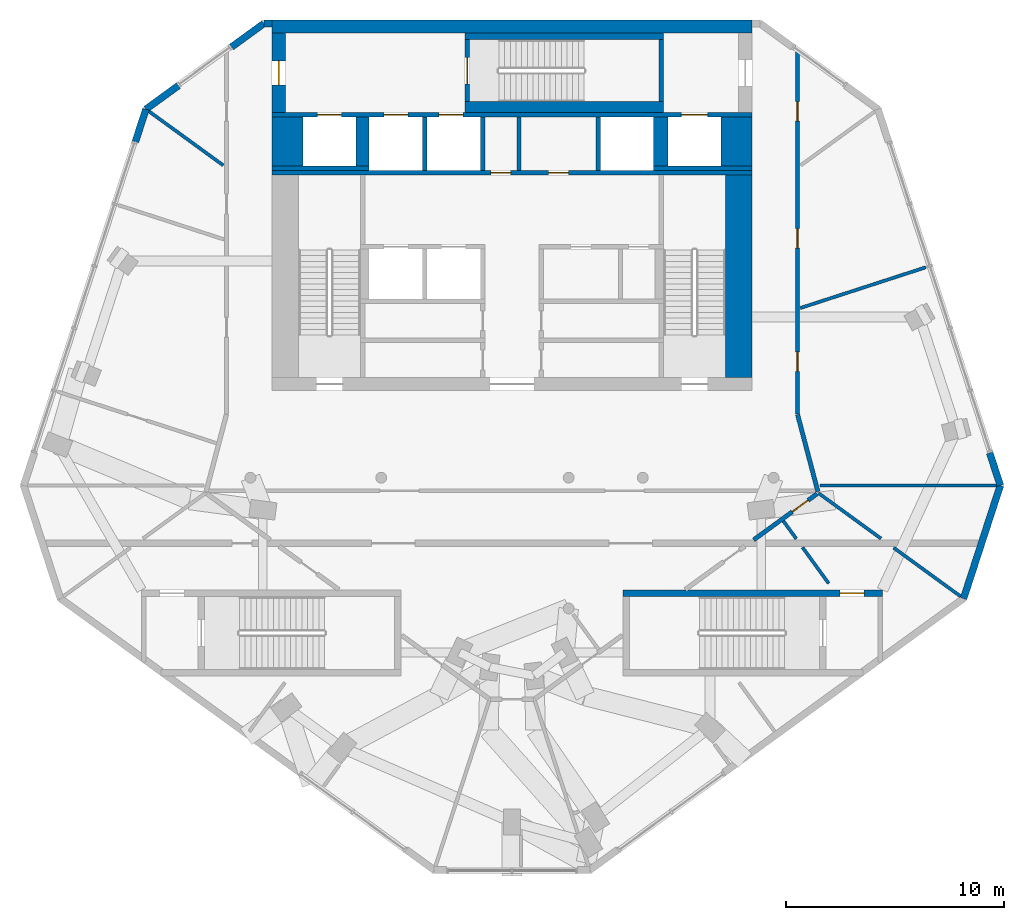
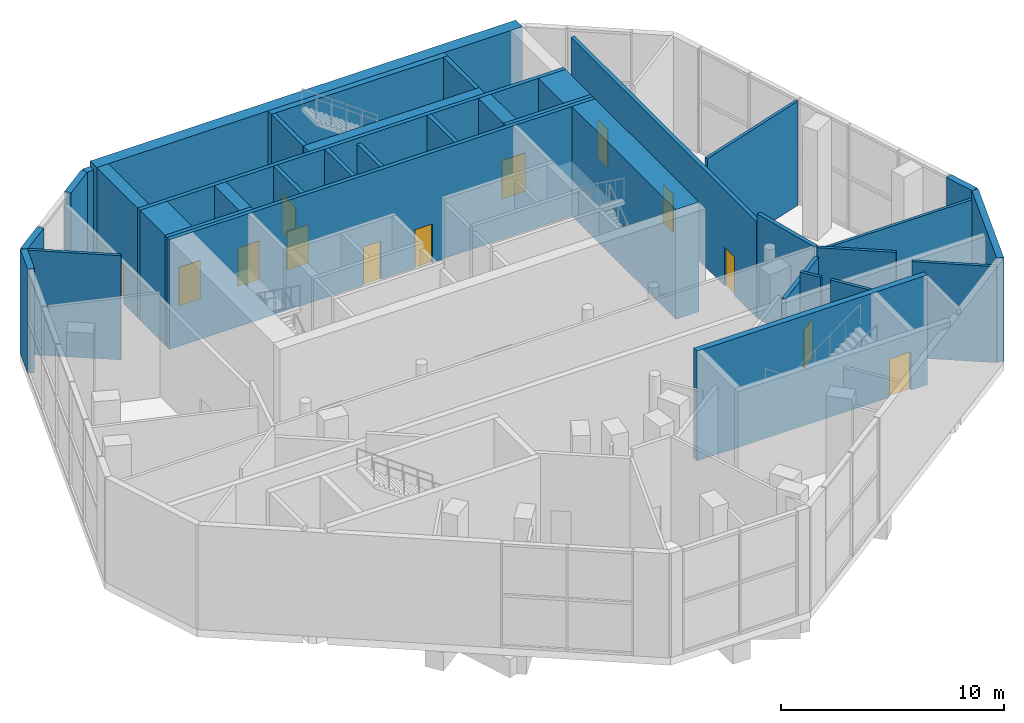
# One storey, part 8 of 11: 36 walls, 13 doors, 13 openings.
"""IFC4 building model written with IfcOpenShell, lengths in metres."""

from ifc_helpers import new_model, si_unit, direction, frame, frame_2d, origin, place, context, subcontext, project, spatial, rectangle, extrude, material, layer, layer_set, type_object, element, fill, save


model = new_model("IFC4")

# Units and contexts
model_context = context("Model", 3, precision=1e-05, world=origin(), true_north=direction((0.0, 1.0)))
body_context = subcontext(model_context, "Body", "Model", "MODEL_VIEW")
ifc_project = project(units=[si_unit("LENGTHUNIT", "METRE"), si_unit("AREAUNIT", "SQUARE_METRE"), si_unit("VOLUMEUNIT", "CUBIC_METRE"), si_unit("PLANEANGLEUNIT", "RADIAN"), si_unit("MASSUNIT", "GRAM", prefix="KILO")], contexts=[model_context])

# Site, building, storey
site_placement = place(None, origin())
site = spatial("IfcSite", under=ifc_project, at=site_placement, CompositionType="ELEMENT")
building_placement = place(site_placement, origin())
building = spatial("IfcBuilding", under=site, at=building_placement, Name="White Candle Pilgrim Tower", CompositionType="ELEMENT")
storey_placement = place(building_placement, frame((0.0, 0.0, 300.10009765625)))
storey = spatial("IfcBuildingStorey", under=building, at=storey_placement, Name="L71", CompositionType="ELEMENT", Elevation=300.10009765625)

# Walls
ifc_material_1 = material(Name="Concrete C40/50", Category="concrete")
ifc_layer_1 = layer(ifc_material_1, 1.39990234375)
ifc_layer_set_1 = layer_set([ifc_layer_1], Name="Core wall 1400 mm Concrete C40/50")
wall_type_1 = type_object("IfcWallType", Name="Core wall 1400 mm Concrete C40/50", PredefinedType="SHEAR", material=ifc_layer_set_1)
for number, where, z_axis, x_axis, name in (
    (1, (59.699951171875, 81.300048828125, 0.0), (0.0, 0.0, 1.0), (0.0, 1.0, 0.0), "WL-L71-C43"),
    (2, (80.300048828125, 81.300048828125, 0.0), (0.0, 0.0, 1.0), (0.0, 1.0, 0.0), "WL-L71-C46"),
):
    element("IfcWall", number, at=place(storey_placement, frame(where, z_axis=z_axis, x_axis=x_axis)), inside=storey, type_object=wall_type_1, Name=name, PredefinedType="SHEAR", context=body_context, shape_type="SweptSolid", body=[
        extrude(rectangle(XDim=2.25, YDim=1.39990234375, at=frame_2d((1.125, 0.0))), origin(), (0.0, 0.0, 1.0), 6.0),
    ])
ifc_layer_2 = layer(ifc_material_1, 0.199951171875)
ifc_layer_set_2 = layer_set([ifc_layer_2], Name="Core wall 200 mm Concrete C40/50")
wall_type_2 = type_object("IfcWallType", Name="Core wall 200 mm Concrete C40/50", PredefinedType="SHEAR", material=ifc_layer_set_2)
wall_1_placement = place(storey_placement, frame((59.0, 81.199951171875, 0.0), z_axis=(0.0, 0.0, 1.0), x_axis=(1.0, 0.0, 0.0)))
element("IfcWall", 3, at=wall_1_placement, inside=storey, type_object=wall_type_2, Name="WL-L71-C37", PredefinedType="SHEAR", context=body_context, shape_type="SweptSolid", body=[
    extrude(rectangle(XDim=4.449951171875, YDim=0.199951171875, at=frame_2d((2.22509765625, 0.0))), origin(), (0.0, 0.0, 1.0), 6.0),
])
wall_2_placement = place(storey_placement, frame((76.5, 81.199951171875, 0.0), z_axis=(0.0, 0.0, 1.0), x_axis=(1.0, 0.0, 0.0)))
element("IfcWall", 4, at=wall_2_placement, inside=storey, type_object=wall_type_2, Name="WL-L71-C42", PredefinedType="SHEAR", context=body_context, shape_type="SweptSolid", body=[
    extrude(rectangle(XDim=4.5, YDim=0.199951171875, at=frame_2d((2.25, 0.0))), origin(), (0.0, 0.0, 1.0), 6.0),
])

# Wall, openings, doors
wall_3_placement = place(storey_placement, frame((59.0, 83.64990234375, 0.0), z_axis=(0.0, 0.0, 1.0), x_axis=(1.0, 0.0, 0.0)))
wall_3 = element("IfcWall", 5, at=wall_3_placement, inside=storey, type_object=wall_type_2, Name="WL-L71-C47", PredefinedType="SHEAR", context=body_context, shape_type="SweptSolid", body=[
    extrude(rectangle(XDim=22.0, YDim=0.199951171875, at=frame_2d((11.0, 0.0))), origin(), (0.0, 0.0, 1.0), 6.0),
])
opening_1_placement = place(wall_3_placement, frame((5.125, 0.0, 0.0)))
opening_1 = element("IfcOpeningElement", 6, at=opening_1_placement, cuts=wall_3, Name="Opening L71-017", PredefinedType="OPENING", context=body_context, shape_type="SweptSolid", body=[
    extrude(rectangle(XDim=1.10009765625, YDim=2.10009765625, at=frame_2d((0.550048828125, 1.050048828125))), frame((0.0, 0.10986328125, 0.0), z_axis=(0.0, -1.0, 0.0), x_axis=(1.0, 0.0, 0.0)), (0.0, 0.0, 1.0), 0.219970703125),
])
opening_2_placement = place(wall_3_placement, frame((7.64990234375, 0.0, 0.0)))
opening_2 = element("IfcOpeningElement", 7, at=opening_2_placement, cuts=wall_3, Name="Opening L71-018", PredefinedType="OPENING", context=body_context, shape_type="SweptSolid", body=[
    extrude(rectangle(XDim=1.10009765625, YDim=2.10009765625, at=frame_2d((0.550048828125, 1.050048828125))), frame((0.0, 0.10986328125, 0.0), z_axis=(0.0, -1.0, 0.0), x_axis=(1.0, 0.0, 0.0)), (0.0, 0.0, 1.0), 0.219970703125),
])
opening_3_placement = place(wall_3_placement, frame((18.77490234375, 0.0, 0.0)))
opening_3 = element("IfcOpeningElement", 8, at=opening_3_placement, cuts=wall_3, Name="Opening L71-019", PredefinedType="OPENING", context=body_context, shape_type="SweptSolid", body=[
    extrude(rectangle(XDim=1.199951171875, YDim=2.10009765625, at=frame_2d((0.60009765625, 1.050048828125))), frame((0.0, 0.10986328125, 0.0), z_axis=(0.0, -1.0, 0.0), x_axis=(1.0, 0.0, 0.0)), (0.0, 0.0, 1.0), 0.219970703125),
])
opening_4_placement = place(wall_3_placement, frame((2.074951171875, 0.0, 0.0)))
opening_4 = element("IfcOpeningElement", 9, at=opening_4_placement, cuts=wall_3, Name="Opening L71-020", PredefinedType="OPENING", context=body_context, shape_type="SweptSolid", body=[
    extrude(rectangle(XDim=1.10009765625, YDim=2.10009765625, at=frame_2d((0.550048828125, 1.050048828125))), frame((0.0, 0.10986328125, 0.0), z_axis=(0.0, -1.0, 0.0), x_axis=(1.0, 0.0, 0.0)), (0.0, 0.0, 1.0), 0.219970703125),
])
ifc_material_2 = material(Name="Stainless steel", Category="steel")
door_type_1 = type_object("IfcDoorType", Name="Lift landing door 1100 x 2100 EI 60", OperationType="DOUBLE_DOOR_SLIDING", PredefinedType="DOOR", material=ifc_material_2)
door_1_placement = place(opening_1_placement, origin())
door_1 = element("IfcDoor", 10, at=door_1_placement, inside=storey, type_object=door_type_1, Name="Door L71-017", OperationType="DOUBLE_DOOR_SLIDING", OverallHeight=2.10009765625, OverallWidth=1.10009765625, PredefinedType="DOOR", context=body_context, shape_type="SweptSolid", body=[
    extrude(rectangle(XDim=1.10009765625, YDim=2.10009765625, at=frame_2d((0.550048828125, 1.050048828125))), frame((0.0, 0.02490234375, 0.0), z_axis=(0.0, -1.0, 0.0), x_axis=(1.0, 0.0, 0.0)), (0.0, 0.0, 1.0), 0.050048828125),
])
fill(opening_1, door_1)
door_2_placement = place(opening_2_placement, origin())
door_2 = element("IfcDoor", 11, at=door_2_placement, inside=storey, type_object=door_type_1, Name="Door L71-018", OperationType="DOUBLE_DOOR_SLIDING", OverallHeight=2.10009765625, OverallWidth=1.10009765625, PredefinedType="DOOR", context=body_context, shape_type="SweptSolid", body=[
    extrude(rectangle(XDim=1.10009765625, YDim=2.10009765625, at=frame_2d((0.550048828125, 1.050048828125))), frame((0.0, 0.02490234375, 0.0), z_axis=(0.0, -1.0, 0.0), x_axis=(1.0, 0.0, 0.0)), (0.0, 0.0, 1.0), 0.050048828125),
])
fill(opening_2, door_2)
door_3_placement = place(opening_4_placement, origin())
door_3 = element("IfcDoor", 12, at=door_3_placement, inside=storey, type_object=door_type_1, Name="Door L71-020", OperationType="DOUBLE_DOOR_SLIDING", OverallHeight=2.10009765625, OverallWidth=1.10009765625, PredefinedType="DOOR", context=body_context, shape_type="SweptSolid", body=[
    extrude(rectangle(XDim=1.10009765625, YDim=2.10009765625, at=frame_2d((0.550048828125, 1.050048828125))), frame((0.0, 0.02490234375, 0.0), z_axis=(0.0, -1.0, 0.0), x_axis=(1.0, 0.0, 0.0)), (0.0, 0.0, 1.0), 0.050048828125),
])
fill(opening_4, door_3)
door_type_2 = type_object("IfcDoorType", Name="Lift landing door 1200 x 2100 E 60", OperationType="DOUBLE_DOOR_SLIDING", PredefinedType="DOOR", material=ifc_material_2)
door_4_placement = place(opening_3_placement, origin())
door_4 = element("IfcDoor", 13, at=door_4_placement, inside=storey, type_object=door_type_2, Name="Door L71-019", OperationType="DOUBLE_DOOR_SLIDING", OverallHeight=2.10009765625, OverallWidth=1.199951171875, PredefinedType="DOOR", context=body_context, shape_type="SweptSolid", body=[
    extrude(rectangle(XDim=1.199951171875, YDim=2.10009765625, at=frame_2d((0.60009765625, 1.050048828125))), frame((0.0, 0.02490234375, 0.0), z_axis=(0.0, -1.0, 0.0), x_axis=(1.0, 0.0, 0.0)), (0.0, 0.0, 1.0), 0.050048828125),
])
fill(opening_3, door_4)

# Wall, opening, door
ifc_layer_3 = layer(ifc_material_1, 0.60009765625)
ifc_layer_set_3 = layer_set([ifc_layer_3], Name="Core wall 600 mm Concrete C40/50")
wall_type_3 = type_object("IfcWallType", Name="Core wall 600 mm Concrete C40/50", PredefinedType="SHEAR", material=ifc_layer_set_3)
wall_4_placement = place(storey_placement, frame((59.300048828125, 83.75, 0.0), z_axis=(0.0, 0.0, 1.0), x_axis=(0.0, 1.0, 0.0)))
wall_4 = element("IfcWall", 14, at=wall_4_placement, inside=storey, type_object=wall_type_3, Name="WL-L71-C48", PredefinedType="SHEAR", context=body_context, shape_type="SweptSolid", body=[
    extrude(rectangle(XDim=3.64990234375, YDim=0.60009765625, at=frame_2d((1.824951171875, 0.0))), origin(), (0.0, 0.0, 1.0), 6.0),
])
opening_5_placement = place(wall_4_placement, frame((1.27490234375, 0.0, 0.0)))
opening_5 = element("IfcOpeningElement", 15, at=opening_5_placement, cuts=wall_4, Name="Opening L71-009", PredefinedType="OPENING", context=body_context, shape_type="SweptSolid", body=[
    extrude(rectangle(XDim=1.10009765625, YDim=2.10009765625, at=frame_2d((0.550048828125, 1.050048828125))), frame((0.0, 0.31005859375, 0.0), z_axis=(0.0, -1.0, 0.0), x_axis=(1.0, 0.0, 0.0)), (0.0, 0.0, 1.0), 0.6201171875),
])
ifc_material_3 = material(Name="Steel door leaf", Category="steel")
door_type_3 = type_object("IfcDoorType", Name="Fire door 1100 x 2100 EI 60", OperationType="NOTDEFINED", PredefinedType="DOOR", material=ifc_material_3)
door_5_placement = place(opening_5_placement, origin())
door_5 = element("IfcDoor", 16, at=door_5_placement, inside=storey, type_object=door_type_3, Name="Door L71-009", OperationType="SINGLE_SWING_LEFT", OverallHeight=2.10009765625, OverallWidth=1.10009765625, PredefinedType="DOOR", context=body_context, shape_type="SweptSolid", body=[
    extrude(rectangle(XDim=1.10009765625, YDim=2.10009765625, at=frame_2d((0.550048828125, 1.050048828125))), frame((0.0, 0.02490234375, 0.0), z_axis=(0.0, -1.0, 0.0), x_axis=(1.0, 0.0, 0.0)), (0.0, 0.0, 1.0), 0.050048828125),
])
fill(opening_5, door_5)

# Wall
wall_5_placement = place(storey_placement, frame((59.0, 87.699951171875, 0.0), z_axis=(0.0, 0.0, 1.0), x_axis=(1.0, 0.0, 0.0)))
element("IfcWall", 17, at=wall_5_placement, inside=storey, type_object=wall_type_3, Name="WL-L71-C54", PredefinedType="SHEAR", context=body_context, shape_type="SweptSolid", body=[
    extrude(rectangle(XDim=22.0, YDim=0.60009765625, at=frame_2d((11.0, 0.0))), origin(), (0.0, 0.0, 1.0), 6.0),
])

# Wall, openings, doors
ifc_material_4 = material(Name="Gypsum board on steel studs", Category="steel")
ifc_layer_4 = layer(ifc_material_4, 0.199951171875)
ifc_layer_set_4 = layer_set([ifc_layer_4], Name="Corridor wall 200 mm EI 45")
wall_type_4 = type_object("IfcWallType", Name="Corridor wall 200 mm EI 45", PredefinedType="PARTITIONING", material=ifc_layer_set_4)
wall_6_placement = place(storey_placement, frame((83.10009765625, 86.537109375, 0.0), z_axis=(0.0, 0.0, 1.0), x_axis=(0.0, -1.0, 0.0)))
wall_6 = element("IfcWall", 18, at=wall_6_placement, inside=storey, type_object=wall_type_4, Name="WL-L71-P002", PredefinedType="PARTITIONING", context=body_context, shape_type="SweptSolid", body=[
    extrude(rectangle(XDim=16.6142578125, YDim=0.199951171875, at=frame_2d((8.30712890625, 0.0))), origin(), (0.0, 0.0, 1.0), 5.25),
])
opening_6_placement = place(wall_6_placement, frame((13.76123046875, 0.0, 0.0)))
opening_6 = element("IfcOpeningElement", 19, at=opening_6_placement, cuts=wall_6, Name="Opening L71-110", PredefinedType="OPENING", context=body_context, shape_type="SweptSolid", body=[
    extrude(rectangle(XDim=0.89990234375, YDim=2.10009765625, at=frame_2d((0.449951171875, 1.050048828125))), frame((0.0, 0.10986328125, 0.0), z_axis=(0.0, -1.0, 0.0), x_axis=(1.0, 0.0, 0.0)), (0.0, 0.0, 1.0), 0.219970703125),
])
opening_7_placement = place(wall_6_placement, frame((8.103515625, 0.0, 0.0)))
opening_7 = element("IfcOpeningElement", 20, at=opening_7_placement, cuts=wall_6, Name="Opening L71-111", PredefinedType="OPENING", context=body_context, shape_type="SweptSolid", body=[
    extrude(rectangle(XDim=0.89990234375, YDim=2.10009765625, at=frame_2d((0.449951171875, 1.050048828125))), frame((0.0, 0.10986328125, 0.0), z_axis=(0.0, -1.0, 0.0), x_axis=(1.0, 0.0, 0.0)), (0.0, 0.0, 1.0), 0.219970703125),
])
opening_8_placement = place(wall_6_placement, frame((2.2763671875, 0.0, 0.0)))
opening_8 = element("IfcOpeningElement", 21, at=opening_8_placement, cuts=wall_6, Name="Opening L71-112", PredefinedType="OPENING", context=body_context, shape_type="SweptSolid", body=[
    extrude(rectangle(XDim=0.89990234375, YDim=2.10009765625, at=frame_2d((0.449951171875, 1.050048828125))), frame((0.0, 0.10986328125, 0.0), z_axis=(0.0, -1.0, 0.0), x_axis=(1.0, 0.0, 0.0)), (0.0, 0.0, 1.0), 0.219970703125),
])
door_type_4 = type_object("IfcDoorType", Name="Fire door 900 x 2100 EI 30", OperationType="NOTDEFINED", PredefinedType="DOOR", material=ifc_material_3)
door_6_placement = place(opening_6_placement, origin())
door_6 = element("IfcDoor", 22, at=door_6_placement, inside=storey, type_object=door_type_4, Name="Door L71-110", OperationType="SINGLE_SWING_RIGHT", OverallHeight=2.10009765625, OverallWidth=0.89990234375, PredefinedType="DOOR", context=body_context, shape_type="SweptSolid", body=[
    extrude(rectangle(XDim=0.89990234375, YDim=2.10009765625, at=frame_2d((0.449951171875, 1.050048828125))), frame((0.0, 0.02490234375, 0.0), z_axis=(0.0, -1.0, 0.0), x_axis=(1.0, 0.0, 0.0)), (0.0, 0.0, 1.0), 0.050048828125),
])
fill(opening_6, door_6)
door_7_placement = place(opening_7_placement, origin())
door_7 = element("IfcDoor", 23, at=door_7_placement, inside=storey, type_object=door_type_4, Name="Door L71-111", OperationType="SINGLE_SWING_LEFT", OverallHeight=2.10009765625, OverallWidth=0.89990234375, PredefinedType="DOOR", context=body_context, shape_type="SweptSolid", body=[
    extrude(rectangle(XDim=0.89990234375, YDim=2.10009765625, at=frame_2d((0.449951171875, 1.050048828125))), frame((0.0, 0.02490234375, 0.0), z_axis=(0.0, -1.0, 0.0), x_axis=(1.0, 0.0, 0.0)), (0.0, 0.0, 1.0), 0.050048828125),
])
fill(opening_7, door_7)
door_8_placement = place(opening_8_placement, origin())
door_8 = element("IfcDoor", 24, at=door_8_placement, inside=storey, type_object=door_type_4, Name="Door L71-112", OperationType="SINGLE_SWING_RIGHT", OverallHeight=2.10009765625, OverallWidth=0.89990234375, PredefinedType="DOOR", context=body_context, shape_type="SweptSolid", body=[
    extrude(rectangle(XDim=0.89990234375, YDim=2.10009765625, at=frame_2d((0.449951171875, 1.050048828125))), frame((0.0, 0.02490234375, 0.0), z_axis=(0.0, -1.0, 0.0), x_axis=(1.0, 0.0, 0.0)), (0.0, 0.0, 1.0), 0.050048828125),
])
fill(opening_8, door_8)

# Wall
wall_7_placement = place(storey_placement, frame((83.103271484375, 69.8974609375, 0.0), z_axis=(0.0, 0.0, 1.0), x_axis=(0.254618397002, -0.967041608158, 0.0)))
element("IfcWall", 25, at=wall_7_placement, inside=storey, type_object=wall_type_4, Name="WL-L71-P003", PredefinedType="PARTITIONING", context=body_context, shape_type="SweptSolid", body=[
    extrude(rectangle(XDim=3.650390625, YDim=0.199951171875, at=frame_2d((1.8251953125, 0.0))), origin(), (0.0, 0.0, 1.0), 5.699951171875),
])

# Wall, opening, door
wall_8_placement = place(storey_placement, frame((83.994873046875, 66.260986328125, 0.0), z_axis=(0.0, 0.0, 1.0), x_axis=(-0.809026987684, -0.587771497437, 0.0)))
wall_8 = element("IfcWall", 26, at=wall_8_placement, inside=storey, type_object=wall_type_4, Name="WL-L71-P004", PredefinedType="PARTITIONING", context=body_context, shape_type="SweptSolid", body=[
    extrude(rectangle(XDim=3.591552734375, YDim=0.199951171875, at=frame_2d((1.7958984375, 0.0))), origin(), (0.0, 0.0, 1.0), 5.199951171875),
])
opening_9_placement = place(wall_8_placement, frame((0.50732421875, 0.0, 0.0)))
opening_9 = element("IfcOpeningElement", 27, at=opening_9_placement, cuts=wall_8, Name="Opening L71-109", PredefinedType="OPENING", context=body_context, shape_type="SweptSolid", body=[
    extrude(rectangle(XDim=0.89990234375, YDim=2.10009765625, at=frame_2d((0.449951171875, 1.050048828125))), frame((0.0, 0.10986328125, 0.0), z_axis=(0.0, -1.0, 0.0), x_axis=(1.0, 0.0, 0.0)), (0.0, 0.0, 1.0), 0.219970703125),
])
door_9_placement = place(opening_9_placement, frame((0.89990234375, 0.0, 0.0), z_axis=(0.0, 0.0, 1.0), x_axis=(-1.0, 0.0, 0.0)))
door_9 = element("IfcDoor", 28, at=door_9_placement, inside=storey, type_object=door_type_4, Name="Door L71-109", OperationType="SINGLE_SWING_RIGHT", OverallHeight=2.10009765625, OverallWidth=0.89990234375, PredefinedType="DOOR", context=body_context, shape_type="SweptSolid", body=[
    extrude(rectangle(XDim=0.89990234375, YDim=2.10009765625, at=frame_2d((0.449951171875, 1.050048828125))), frame((0.0, 0.02490234375, 0.0), z_axis=(0.0, -1.0, 0.0), x_axis=(1.0, 0.0, 0.0)), (0.0, 0.0, 1.0), 0.050048828125),
])
fill(opening_9, door_9)

# Walls
ifc_material_5 = material(Name="Precast concrete C40/50", Category="concrete")
ifc_layer_5 = layer(ifc_material_5, 0.320068359375)
ifc_layer_set_5 = layer_set([ifc_layer_5], Name="Facade wall EW1 precast concrete C40/50 pier wall with timber-lined reveals")
wall_type_5 = type_object("IfcWallType", Name="Facade wall EW1 precast concrete C40/50 pier wall with timber-lined reveals", PredefinedType="SOLIDWALL", material=ifc_layer_set_5)
wall_9_placement = place(storey_placement, frame((90.71923828125, 61.455810546875, 0.0), z_axis=(0.0, 0.0, 1.0), x_axis=(0.30900814357, 0.951059392051, 0.0)))
element("IfcWall", 29, at=wall_9_placement, inside=storey, type_object=wall_type_5, Name="Facade wall L71 E chamfer", PredefinedType="SOLIDWALL", context=body_context, shape_type="SweptSolid", body=[
    extrude(rectangle(XDim=5.45458984375, YDim=0.320068359375, at=frame_2d((2.727294921875, 0.0))), origin(), (0.0, 0.0, 1.0), 5.699951171875),
])
wall_10_placement = place(storey_placement, frame((92.40478515625, 66.6435546875, 0.0), z_axis=(0.0, 0.0, 1.0), x_axis=(-0.308928582, 0.951085238674, 0.0)))
element("IfcWall", 30, at=wall_10_placement, inside=storey, type_object=wall_type_5, Name="Facade wall L71 ENE", PredefinedType="SOLIDWALL", context=body_context, shape_type="SweptSolid", body=[
    extrude(rectangle(XDim=1.577392578125, YDim=0.320068359375, at=frame_2d((0.78857421875, 0.0))), origin(), (0.0, 0.0, 1.0), 5.699951171875),
])
wall_11_placement = place(storey_placement, frame((59.0, 87.840087890625, 0.0), z_axis=(0.0, 0.0, 1.0), x_axis=(-1.0, 0.0, 0.0)))
element("IfcWall", 31, at=wall_11_placement, inside=storey, type_object=wall_type_5, Name="Facade wall L71 N", PredefinedType="SOLIDWALL", context=body_context, shape_type="SweptSolid", body=[
    extrude(rectangle(XDim=0.385009765625, YDim=0.320068359375, at=frame_2d((0.1923828125, 0.0))), origin(), (0.0, 0.0, 1.0), 5.699951171875),
])
for number, where, z_axis, x_axis, name in (
    (32, (58.614990234375, 87.840087890625, 0.0), (0.0, 0.0, 1.0), (-0.808999469603, -0.587809372315, 0.0), "Facade wall L71 NW chamfer"),
    (33, (54.696533203125, 84.9931640625, 0.0), (0.0, 0.0, 1.0), (-0.808999469603, -0.587809372315, 0.0), "Facade wall L71 NW chamfer"),
):
    element("IfcWall", number, at=place(storey_placement, frame(where, z_axis=z_axis, x_axis=x_axis)), inside=storey, type_object=wall_type_5, Name=name, PredefinedType="SOLIDWALL", context=body_context, shape_type="SweptSolid", body=[
        extrude(rectangle(XDim=1.84326171875, YDim=0.320068359375, at=frame_2d((0.921630859375, 0.0))), origin(), (0.0, 0.0, 1.0), 5.699951171875),
    ])
wall_12_placement = place(storey_placement, frame((53.205322265625, 83.90966796875, 0.0), z_axis=(0.0, 0.0, 1.0), x_axis=(-0.309068574667, -0.951039755296, 0.0)))
element("IfcWall", 34, at=wall_12_placement, inside=storey, type_object=wall_type_5, Name="Facade wall L71 WNW", PredefinedType="SOLIDWALL", context=body_context, shape_type="SweptSolid", body=[
    extrude(rectangle(XDim=1.577392578125, YDim=0.320068359375, at=frame_2d((0.78857421875, 0.0))), origin(), (0.0, 0.0, 1.0), 5.699951171875),
])
ifc_layer_6 = layer(ifc_material_4, 0.199951171875)
ifc_layer_set_6 = layer_set([ifc_layer_6], Name="Lobby wall 200 mm EI 60")
wall_type_6 = type_object("IfcWallType", Name="Lobby wall 200 mm EI 60", PredefinedType="PARTITIONING", material=ifc_layer_set_6)
wall_13_placement = place(storey_placement, frame((70.320068359375, 81.10009765625, 0.0), z_axis=(0.0, 0.0, 1.0), x_axis=(0.0, 1.0, 0.0)))
element("IfcWall", 35, at=wall_13_placement, inside=storey, type_object=wall_type_6, Name="WL-L71-C40", PredefinedType="PARTITIONING", context=body_context, shape_type="SweptSolid", body=[
    extrude(rectangle(XDim=2.449951171875, YDim=0.199951171875, at=frame_2d((1.22509765625, 0.0))), origin(), (0.0, 0.0, 1.0), 5.699951171875),
])
ifc_layer_7 = layer(ifc_material_4, 0.14990234375)
ifc_layer_set_7 = layer_set([ifc_layer_7], Name="Partition 150 mm EI 60")
wall_type_7 = type_object("IfcWallType", Name="Partition 150 mm EI 60", PredefinedType="PARTITIONING", material=ifc_layer_set_7)
wall_14_placement = place(storey_placement, frame((53.34130859375, 83.810791015625, 0.0), z_axis=(0.0, 0.0, 1.0), x_axis=(0.809028651685, -0.587769207048, 0.0)))
element("IfcWall", 36, at=wall_14_placement, inside=storey, type_object=wall_type_7, Name="WL-L71-P013", PredefinedType="PARTITIONING", context=body_context, shape_type="SweptSolid", body=[
    extrude(rectangle(XDim=4.220458984375, YDim=0.14990234375, at=frame_2d((2.1103515625, 0.0))), origin(), (0.0, 0.0, 1.0), 5.699951171875),
])
wall_15_placement = place(storey_placement, frame((90.5830078125, 61.5546875, 0.0), z_axis=(0.0, 0.0, 1.0), x_axis=(-0.808994279643, 0.587816515168, 0.0)))
element("IfcWall", 37, at=wall_15_placement, inside=storey, type_object=wall_type_7, Name="WL-L71-P019", PredefinedType="PARTITIONING", context=body_context, shape_type="SweptSolid", body=[
    extrude(rectangle(XDim=3.801513671875, YDim=0.14990234375, at=frame_2d((1.90087890625, 0.0))), origin(), (0.0, 0.0, 1.0), 5.25),
])
wall_16_placement = place(storey_placement, frame((86.927490234375, 64.210693359375, 0.0), z_axis=(0.0, 0.0, 1.0), x_axis=(-0.809009822352, 0.587795123608, 0.0)))
element("IfcWall", 38, at=wall_16_placement, inside=storey, type_object=wall_type_7, Name="WL-L71-P020", PredefinedType="PARTITIONING", context=body_context, shape_type="SweptSolid", body=[
    extrude(rectangle(XDim=3.547119140625, YDim=0.14990234375, at=frame_2d((1.7734375, 0.0))), origin(), (0.0, 0.0, 1.0), 5.699951171875),
])
wall_17_placement = place(storey_placement, frame((92.236572265625, 66.6435546875, 0.0), z_axis=(0.0, 0.0, 1.0), x_axis=(-1.0, 0.0, 0.0)))
element("IfcWall", 39, at=wall_17_placement, inside=storey, type_object=wall_type_7, Name="WL-L71-P021", PredefinedType="PARTITIONING", context=body_context, shape_type="SweptSolid", body=[
    extrude(rectangle(XDim=8.09619140625, YDim=0.14990234375, at=frame_2d((4.048095703125, 0.0))), origin(), (0.0, 0.0, 1.0), 5.25),
])
wall_18_placement = place(storey_placement, frame((84.530517578125, 62.14990234375, 0.0), z_axis=(0.0, 0.0, 1.0), x_axis=(-0.587774481837, 0.80902481946, 0.0)))
element("IfcWall", 40, at=wall_18_placement, inside=storey, type_object=wall_type_7, Name="WL-L71-P027", PredefinedType="PARTITIONING", context=body_context, shape_type="SweptSolid", body=[
    extrude(rectangle(XDim=2.046875, YDim=0.14990234375, at=frame_2d((1.0234375, 0.0))), origin(), (0.0, 0.0, 1.0), 5.699951171875),
])
wall_19_placement = place(storey_placement, frame((83.04541015625, 64.194091796875, 0.0), z_axis=(0.0, 0.0, 1.0), x_axis=(-0.587799519818, 0.809006628218, 0.0)))
element("IfcWall", 41, at=wall_19_placement, inside=storey, type_object=wall_type_7, Name="WL-L71-P028", PredefinedType="PARTITIONING", context=body_context, shape_type="SweptSolid", body=[
    extrude(rectangle(XDim=1.01416015625, YDim=0.14990234375, at=frame_2d((0.507080078125, 0.0))), origin(), (0.0, 0.0, 1.0), 5.699951171875),
])
wall_20_placement = place(storey_placement, frame((88.98388671875, 76.65380859375, 0.0), z_axis=(0.0, 0.0, 1.0), x_axis=(-0.951054208189, -0.309024097906, 0.0)))
element("IfcWall", 42, at=wall_20_placement, inside=storey, type_object=wall_type_7, Name="WL-L71-P029", PredefinedType="PARTITIONING", context=body_context, shape_type="SweptSolid", body=[
    extrude(rectangle(XDim=6.05712890625, YDim=0.14990234375, at=frame_2d((3.028564453125, 0.0))), origin(), (0.0, 0.0, 1.0), 5.699951171875),
])
ifc_layer_8 = layer(ifc_material_1, 0.199951171875)
ifc_layer_set_8 = layer_set([ifc_layer_8], Name="Shaft wall 200 mm Concrete C40/50")
wall_type_8 = type_object("IfcWallType", Name="Shaft wall 200 mm Concrete C40/50", PredefinedType="SHEAR", material=ifc_layer_set_8)
for number, where, z_axis, x_axis, name in (
    (43, (66.0, 81.10009765625, 0.0), (0.0, 0.0, 1.0), (0.0, 1.0, 0.0), "WL-L71-C38"),
    (44, (68.64990234375, 81.10009765625, 0.0), (0.0, 0.0, 1.0), (0.0, 1.0, 0.0), "WL-L71-C39"),
    (45, (73.949951171875, 81.10009765625, 0.0), (0.0, 0.0, 1.0), (0.0, 1.0, 0.0), "WL-L71-C41"),
):
    element("IfcWall", number, at=place(storey_placement, frame(where, z_axis=z_axis, x_axis=x_axis)), inside=storey, type_object=wall_type_8, Name=name, PredefinedType="SHEAR", context=body_context, shape_type="SweptSolid", body=[
        extrude(rectangle(XDim=2.449951171875, YDim=0.199951171875, at=frame_2d((1.22509765625, 0.0))), origin(), (0.0, 0.0, 1.0), 6.0),
    ])
ifc_layer_9 = layer(ifc_material_1, 0.60009765625)
ifc_layer_set_9 = layer_set([ifc_layer_9], Name="Shaft wall 600 mm Concrete C40/50")
wall_type_9 = type_object("IfcWallType", Name="Shaft wall 600 mm Concrete C40/50", PredefinedType="SHEAR", material=ifc_layer_set_9)
wall_21_placement = place(storey_placement, frame((63.14990234375, 81.300048828125, 0.0), z_axis=(0.0, 0.0, 1.0), x_axis=(0.0, 1.0, 0.0)))
element("IfcWall", 46, at=wall_21_placement, inside=storey, type_object=wall_type_9, Name="WL-L71-C44", PredefinedType="SHEAR", context=body_context, shape_type="SweptSolid", body=[
    extrude(rectangle(XDim=2.25, YDim=0.60009765625, at=frame_2d((1.125, 0.0))), origin(), (0.0, 0.0, 1.0), 6.0),
])
ifc_layer_10 = layer(ifc_material_1, 0.64990234375)
ifc_layer_set_10 = layer_set([ifc_layer_10], Name="Shaft wall 650 mm Concrete C40/50")
wall_type_10 = type_object("IfcWallType", Name="Shaft wall 650 mm Concrete C40/50", PredefinedType="SHEAR", material=ifc_layer_set_10)
wall_22_placement = place(storey_placement, frame((76.824951171875, 81.300048828125, 0.0), z_axis=(0.0, 0.0, 1.0), x_axis=(0.0, 1.0, 0.0)))
element("IfcWall", 47, at=wall_22_placement, inside=storey, type_object=wall_type_10, Name="WL-L71-C45", PredefinedType="SHEAR", context=body_context, shape_type="SweptSolid", body=[
    extrude(rectangle(XDim=2.25, YDim=0.64990234375, at=frame_2d((1.125, 0.0))), origin(), (0.0, 0.0, 1.0), 6.0),
])
ifc_layer_11 = layer(ifc_material_1, 1.199951171875)
ifc_layer_set_11 = layer_set([ifc_layer_11], Name="Stair shaft wall 1200 mm Concrete C40/50")
wall_type_11 = type_object("IfcWallType", Name="Stair shaft wall 1200 mm Concrete C40/50", PredefinedType="SHEAR", material=ifc_layer_set_11)
wall_23_placement = place(storey_placement, frame((80.39990234375, 71.60009765625, 0.0), z_axis=(0.0, 0.0, 1.0), x_axis=(0.0, 1.0, 0.0)))
element("IfcWall", 48, at=wall_23_placement, inside=storey, type_object=wall_type_11, Name="WL-L71-C17", PredefinedType="SHEAR", context=body_context, shape_type="SweptSolid", body=[
    extrude(rectangle(XDim=9.2998046875, YDim=1.199951171875, at=frame_2d((4.64990234375, 0.0))), origin(), (0.0, 0.0, 1.0), 6.0),
])

# Wall, openings, doors
ifc_layer_12 = layer(ifc_material_1, 0.199951171875)
ifc_layer_set_12 = layer_set([ifc_layer_12], Name="Stair shaft wall 200 mm Concrete C40/50")
wall_type_12 = type_object("IfcWallType", Name="Stair shaft wall 200 mm Concrete C40/50", PredefinedType="SHEAR", material=ifc_layer_set_12)
wall_24_placement = place(storey_placement, frame((59.0, 81.0, 0.0), z_axis=(0.0, 0.0, 1.0), x_axis=(1.0, 0.0, 0.0)))
wall_24 = element("IfcWall", 49, at=wall_24_placement, inside=storey, type_object=wall_type_12, Name="WL-L71-C36", PredefinedType="SHEAR", context=body_context, shape_type="SweptSolid", body=[
    extrude(rectangle(XDim=22.0, YDim=0.199951171875, at=frame_2d((11.0, 0.0))), origin(), (0.0, 0.0, 1.0), 6.0),
])
opening_10_placement = place(wall_24_placement, frame((10.034912109375, 0.0, 0.0)))
opening_10 = element("IfcOpeningElement", 50, at=opening_10_placement, cuts=wall_24, Name="Opening L71-023", PredefinedType="OPENING", context=body_context, shape_type="SweptSolid", body=[
    extrude(rectangle(XDim=0.89990234375, YDim=2.10009765625, at=frame_2d((0.449951171875, 1.050048828125))), frame((0.0, 0.10986328125, 0.0), z_axis=(0.0, -1.0, 0.0), x_axis=(1.0, 0.0, 0.0)), (0.0, 0.0, 1.0), 0.219970703125),
])
opening_11_placement = place(wall_24_placement, frame((12.68505859375, 0.0, 0.0)))
opening_11 = element("IfcOpeningElement", 51, at=opening_11_placement, cuts=wall_24, Name="Opening L71-024", PredefinedType="OPENING", context=body_context, shape_type="SweptSolid", body=[
    extrude(rectangle(XDim=0.89990234375, YDim=2.10009765625, at=frame_2d((0.449951171875, 1.050048828125))), frame((0.0, 0.10986328125, 0.0), z_axis=(0.0, -1.0, 0.0), x_axis=(1.0, 0.0, 0.0)), (0.0, 0.0, 1.0), 0.219970703125),
])
door_10_placement = place(opening_10_placement, origin())
door_10 = element("IfcDoor", 52, at=door_10_placement, inside=storey, type_object=door_type_4, Name="Door L71-023", OperationType="SINGLE_SWING_LEFT", OverallHeight=2.10009765625, OverallWidth=0.89990234375, PredefinedType="DOOR", context=body_context, shape_type="SweptSolid", body=[
    extrude(rectangle(XDim=0.89990234375, YDim=2.10009765625, at=frame_2d((0.449951171875, 1.050048828125))), frame((0.0, 0.02490234375, 0.0), z_axis=(0.0, -1.0, 0.0), x_axis=(1.0, 0.0, 0.0)), (0.0, 0.0, 1.0), 0.050048828125),
])
fill(opening_10, door_10)
door_11_placement = place(opening_11_placement, origin())
door_11 = element("IfcDoor", 53, at=door_11_placement, inside=storey, type_object=door_type_4, Name="Door L71-024", OperationType="SINGLE_SWING_RIGHT", OverallHeight=2.10009765625, OverallWidth=0.89990234375, PredefinedType="DOOR", context=body_context, shape_type="SweptSolid", body=[
    extrude(rectangle(XDim=0.89990234375, YDim=2.10009765625, at=frame_2d((0.449951171875, 1.050048828125))), frame((0.0, 0.02490234375, 0.0), z_axis=(0.0, -1.0, 0.0), x_axis=(1.0, 0.0, 0.0)), (0.0, 0.0, 1.0), 0.050048828125),
])
fill(opening_11, door_11)

# Wall, opening, door
wall_25_placement = place(storey_placement, frame((67.949951171875, 84.25, 0.0), z_axis=(0.0, 0.0, 1.0), x_axis=(0.0, 1.0, 0.0)))
wall_25 = element("IfcWall", 54, at=wall_25_placement, inside=storey, type_object=wall_type_12, Name="WL-L71-C51", PredefinedType="SHEAR", context=body_context, shape_type="SweptSolid", body=[
    extrude(rectangle(XDim=2.85009765625, YDim=0.199951171875, at=frame_2d((1.425048828125, 0.0))), origin(), (0.0, 0.0, 1.0), 6.0),
])
opening_12_placement = place(wall_25_placement, frame((0.824951171875, 0.0, 0.0)))
opening_12 = element("IfcOpeningElement", 55, at=opening_12_placement, cuts=wall_25, Name="Opening L71-003", PredefinedType="OPENING", context=body_context, shape_type="SweptSolid", body=[
    extrude(rectangle(XDim=1.199951171875, YDim=2.10009765625, at=frame_2d((0.60009765625, 1.050048828125))), frame((0.0, 0.10986328125, 0.0), z_axis=(0.0, -1.0, 0.0), x_axis=(1.0, 0.0, 0.0)), (0.0, 0.0, 1.0), 0.219970703125),
])
door_type_5 = type_object("IfcDoorType", Name="Fire door 1200 x 2100 EI 60", OperationType="NOTDEFINED", PredefinedType="DOOR", material=ifc_material_3)
door_12_placement = place(opening_12_placement, frame((1.199951171875, 0.0, 0.0), z_axis=(0.0, 0.0, 1.0), x_axis=(-1.0, 0.0, 0.0)))
door_12 = element("IfcDoor", 56, at=door_12_placement, inside=storey, type_object=door_type_5, Name="Door L71-003", OperationType="SINGLE_SWING_RIGHT", OverallHeight=2.10009765625, OverallWidth=1.199951171875, PredefinedType="DOOR", context=body_context, shape_type="SweptSolid", body=[
    extrude(rectangle(XDim=1.199951171875, YDim=2.10009765625, at=frame_2d((0.60009765625, 1.050048828125))), frame((0.0, 0.02490234375, 0.0), z_axis=(0.0, -1.0, 0.0), x_axis=(1.0, 0.0, 0.0)), (0.0, 0.0, 1.0), 0.050048828125),
])
fill(opening_12, door_12)

# Wall
wall_26_placement = place(storey_placement, frame((76.85009765625, 84.25, 0.0), z_axis=(0.0, 0.0, 1.0), x_axis=(0.0, 1.0, 0.0)))
element("IfcWall", 57, at=wall_26_placement, inside=storey, type_object=wall_type_12, Name="WL-L71-C52", PredefinedType="SHEAR", context=body_context, shape_type="SweptSolid", body=[
    extrude(rectangle(XDim=2.85009765625, YDim=0.199951171875, at=frame_2d((1.425048828125, 0.0))), origin(), (0.0, 0.0, 1.0), 6.0),
])

# Wall, opening, door
ifc_layer_13 = layer(ifc_material_1, 0.300048828125)
ifc_layer_set_13 = layer_set([ifc_layer_13], Name="Stair shaft wall 300 mm Concrete C40/50")
wall_type_13 = type_object("IfcWallType", Name="Stair shaft wall 300 mm Concrete C40/50", PredefinedType="SHEAR", material=ifc_layer_set_13)
wall_27_placement = place(storey_placement, frame((75.10009765625, 61.699951171875, 0.0), z_axis=(0.0, 0.0, 1.0), x_axis=(1.0, 0.0, 0.0)))
wall_27 = element("IfcWall", 58, at=wall_27_placement, inside=storey, type_object=wall_type_13, Name="WL-L71-C10", PredefinedType="SHEAR", context=body_context, shape_type="SweptSolid", body=[
    extrude(rectangle(XDim=11.89990234375, YDim=0.300048828125, at=frame_2d((5.949951171875, 0.0))), origin(), (0.0, 0.0, 1.0), 6.0),
])
opening_13_placement = place(wall_27_placement, frame((9.949951171875, 0.0, 0.0)))
opening_13 = element("IfcOpeningElement", 59, at=opening_13_placement, cuts=wall_27, Name="Opening L71-013", PredefinedType="OPENING", context=body_context, shape_type="SweptSolid", body=[
    extrude(rectangle(XDim=1.10009765625, YDim=2.10009765625, at=frame_2d((0.550048828125, 1.050048828125))), frame((0.0, 0.159912109375, 0.0), z_axis=(0.0, -1.0, 0.0), x_axis=(1.0, 0.0, 0.0)), (0.0, 0.0, 1.0), 0.320068359375),
])
door_13_placement = place(opening_13_placement, frame((1.10009765625, 0.0, 0.0), z_axis=(0.0, 0.0, 1.0), x_axis=(-1.0, 0.0, 0.0)))
door_13 = element("IfcDoor", 60, at=door_13_placement, inside=storey, type_object=door_type_3, Name="Door L71-013", OperationType="SINGLE_SWING_RIGHT", OverallHeight=2.10009765625, OverallWidth=1.10009765625, PredefinedType="DOOR", context=body_context, shape_type="SweptSolid", body=[
    extrude(rectangle(XDim=1.10009765625, YDim=2.10009765625, at=frame_2d((0.550048828125, 1.050048828125))), frame((0.0, 0.02490234375, 0.0), z_axis=(0.0, -1.0, 0.0), x_axis=(1.0, 0.0, 0.0)), (0.0, 0.0, 1.0), 0.050048828125),
])
fill(opening_13, door_13)

# Walls
wall_28_placement = place(storey_placement, frame((67.85009765625, 87.25, 0.0), z_axis=(0.0, 0.0, 1.0), x_axis=(1.0, 0.0, 0.0)))
element("IfcWall", 61, at=wall_28_placement, inside=storey, type_object=wall_type_13, Name="WL-L71-C53", PredefinedType="SHEAR", context=body_context, shape_type="SweptSolid", body=[
    extrude(rectangle(XDim=9.099853515625, YDim=0.300048828125, at=frame_2d((4.5498046875, 0.0))), origin(), (0.0, 0.0, 1.0), 6.0),
])
ifc_layer_14 = layer(ifc_material_1, 0.5)
ifc_layer_set_14 = layer_set([ifc_layer_14], Name="Stair shaft wall 500 mm Concrete C40/50")
wall_type_14 = type_object("IfcWallType", Name="Stair shaft wall 500 mm Concrete C40/50", PredefinedType="SHEAR", material=ifc_layer_set_14)
wall_29_placement = place(storey_placement, frame((67.85009765625, 84.0, 0.0), z_axis=(0.0, 0.0, 1.0), x_axis=(1.0, 0.0, 0.0)))
element("IfcWall", 62, at=wall_29_placement, inside=storey, type_object=wall_type_14, Name="WL-L71-C49", PredefinedType="SHEAR", context=body_context, shape_type="SweptSolid", body=[
    extrude(rectangle(XDim=9.099853515625, YDim=0.5, at=frame_2d((4.5498046875, 0.0))), origin(), (0.0, 0.0, 1.0), 6.0),
])

save(model, "model.ifc")
